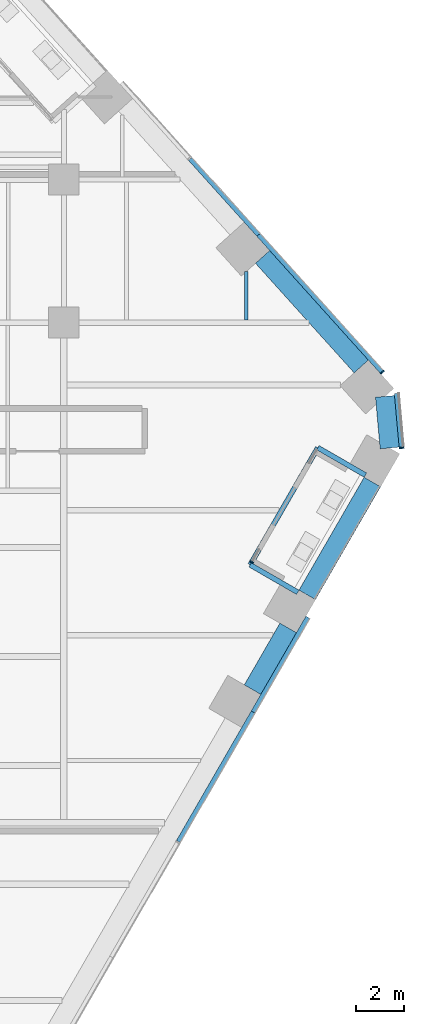
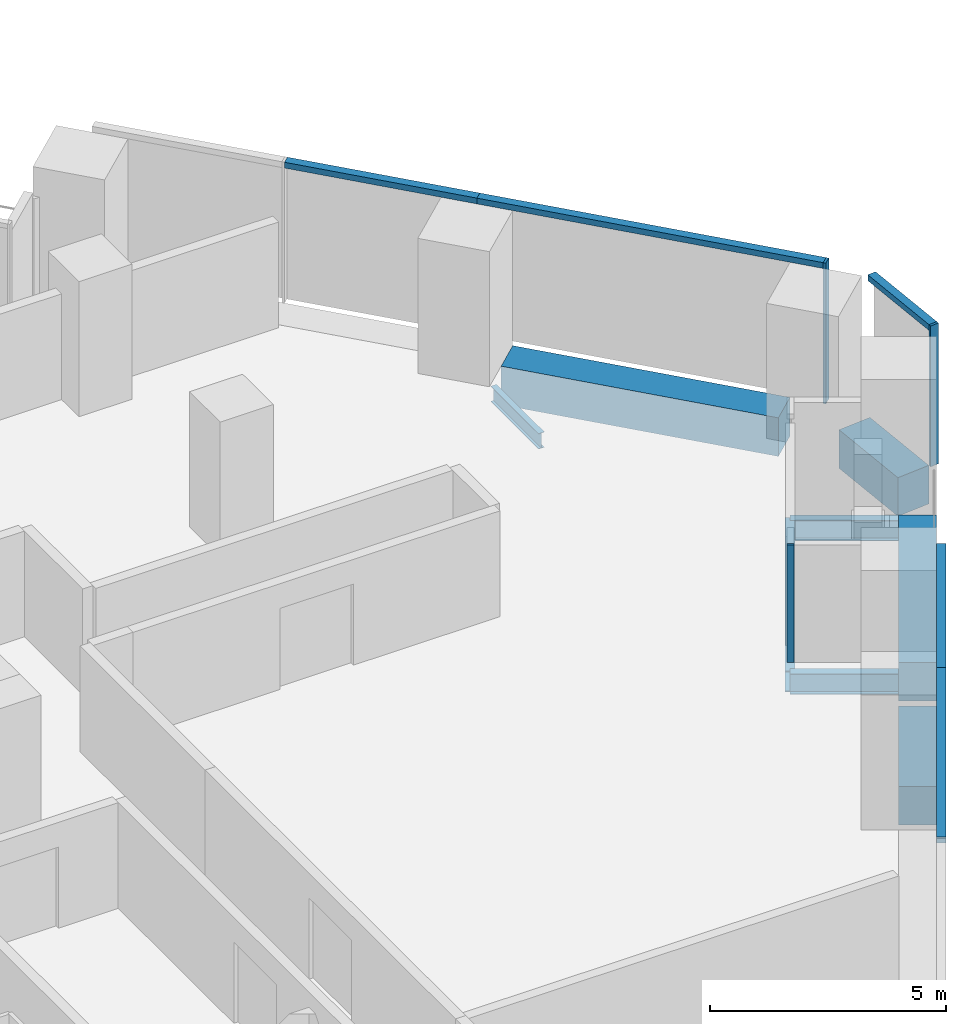
# One storey, part 13 of 28: 8 beams, 8 members, 4 elements without a shape of their own.
"""IFC4 building model written with IfcOpenShell, lengths in metres."""

from ifc_helpers import new_model, si_unit, direction, frame, origin, origin_2d, place, context, subcontext, project, spatial, rectangle, i_section, extrude, material, layer, layer_set, material_profile, profile_set, type_object, element, aggregate, save


model = new_model("IFC4")

# Units and contexts
model_context = context("Model", 3, precision=1e-05, world=origin(), true_north=direction((0.0, 1.0)))
body_context = subcontext(model_context, "Body", "Model", "MODEL_VIEW")
ifc_project = project(units=[si_unit("LENGTHUNIT", "METRE"), si_unit("AREAUNIT", "SQUARE_METRE"), si_unit("VOLUMEUNIT", "CUBIC_METRE"), si_unit("PLANEANGLEUNIT", "RADIAN"), si_unit("MASSUNIT", "GRAM", prefix="KILO")], contexts=[model_context])

# Site, building, storey
site_placement = place(None, origin())
site = spatial("IfcSite", under=ifc_project, at=site_placement, CompositionType="ELEMENT")
building_placement = place(site_placement, origin())
building = spatial("IfcBuilding", under=site, at=building_placement, Name="Isthmus Gate Tower", CompositionType="ELEMENT")
storey_placement = place(building_placement, frame((0.0, 0.0, 84.300048828125)))
storey = spatial("IfcBuildingStorey", under=building, at=storey_placement, Name="L19", CompositionType="ELEMENT", Elevation=84.300048828125)

# Curtain wall, member
ifc_material_1 = material(Name="Aluminium, pale champagne anodised", Category="aluminium")
ifc_layer_1 = layer(ifc_material_1, 0.199951171875)
ifc_layer_set_1 = layer_set([ifc_layer_1], Name="CW-1 UNITISED CURTAIN WALL 200 DEEP")
curtain_wall_type_1 = type_object("IfcCurtainWallType", Name="CW-1 UNITISED CURTAIN WALL 200 DEEP", PredefinedType="NOTDEFINED", material=ifc_layer_set_1)
curtain_wall_1_placement = place(storey_placement, origin())
curtain_wall_1 = element("IfcCurtainWall", 1, at=curtain_wall_1_placement, inside=storey, type_object=curtain_wall_type_1, Name="CW-1 SE-NE L19", PredefinedType="NOTDEFINED")
ifc_material_2 = material(Name="Aluminium, pale champagne anodised", Category="aluminium")
ifc_material_profile_1 = material_profile(ifc_material_2, rectangle(XDim=0.06005859375, YDim=0.199951171875, at=origin_2d()), Name="60x200")
ifc_profile_set_1 = profile_set([ifc_material_profile_1], Name="Aluminium, pale champagne anodised")
member_type_1 = type_object("IfcMemberType", Name="CW-1 MULLION 60 X 200", PredefinedType="MULLION", material=ifc_profile_set_1)
member_1_placement = place(storey_placement, frame((38.178955078125, 2.24169921875, 0.0), z_axis=(0.0, 0.0, 1.0), x_axis=(-0.089396669717, 0.995996102123, 0.0)))
member_1 = element("IfcMember", 2, at=member_1_placement, type_object=member_type_1, Name="CW-1 mullion", PredefinedType="MULLION", context=body_context, shape_type="SweptSolid", body=[
    extrude(rectangle(XDim=0.06005859375, YDim=0.199951171875, at=origin_2d()), origin(), (0.0, 0.0, 1.0), 3.64990234375),
])

curtain_wall_2_placement = place(storey_placement, origin())
curtain_wall_2 = element("IfcCurtainWall", 3, at=curtain_wall_2_placement, inside=storey, type_object=curtain_wall_type_1, Name="CW-1 NE L19", PredefinedType="NOTDEFINED")
member_2_placement = place(storey_placement, frame((37.37353515625, 5.419921875, 0.0), z_axis=(0.0, 0.0, 1.0), x_axis=(-0.669130606359, 0.743144825477, 0.0)))
member_2 = element("IfcMember", 4, at=member_2_placement, type_object=member_type_1, Name="CW-1 mullion", PredefinedType="MULLION", context=body_context, shape_type="SweptSolid", body=[
    extrude(rectangle(XDim=0.06005859375, YDim=0.199951171875, at=origin_2d()), origin(), (0.0, 0.0, 1.0), 3.64990234375),
])

# Curtain wall, members
curtain_wall_3_placement = place(storey_placement, origin())
curtain_wall_3 = element("IfcCurtainWall", 5, at=curtain_wall_3_placement, inside=storey, type_object=curtain_wall_type_1, Name="CW-1 SE L19", PredefinedType="NOTDEFINED")
ifc_material_3 = material(Name="Aluminium, pale champagne anodised", Category="aluminium")
ifc_material_profile_2 = material_profile(ifc_material_3, rectangle(XDim=0.199951171875, YDim=0.14990234375, at=origin_2d()), Name="200x150")
ifc_profile_set_2 = profile_set([ifc_material_profile_2], Name="Aluminium, pale champagne anodised")
member_type_2 = type_object("IfcMemberType", Name="CW-1 TRANSOM 200 X 150", PredefinedType="USERDEFINED", material=ifc_profile_set_2)
member_3_placement = place(storey_placement, frame((28.817138671875, -14.287353515625, 3.574951171875), z_axis=(0.499995104884, 0.866028229963, 0.0), x_axis=(-0.866028229963, 0.499995104884, 0.0)))
member_3 = element("IfcMember", 6, at=member_3_placement, type_object=member_type_2, Name="CW-1 transom", ObjectType="TRANSOM", PredefinedType="USERDEFINED", context=body_context, shape_type="SweptSolid", body=[
    extrude(rectangle(XDim=0.199951171875, YDim=0.14990234375, at=origin_2d()), origin(), (0.0, 0.0, 1.0), 6.2783203125),
])
member_4_placement = place(storey_placement, frame((31.956298828125, -8.85009765625, 3.574951171875), z_axis=(0.499992401796, 0.866029790565, 0.0), x_axis=(-0.866029790565, 0.499992401796, 0.0)))
member_4 = element("IfcMember", 7, at=member_4_placement, type_object=member_type_2, Name="CW-1 transom", ObjectType="TRANSOM", PredefinedType="USERDEFINED", context=body_context, shape_type="SweptSolid", body=[
    extrude(rectangle(XDim=0.199951171875, YDim=0.14990234375, at=origin_2d()), origin(), (0.0, 0.0, 1.0), 4.5927734375),
])
aggregate(curtain_wall_3, [member_3, member_4])

# Member
member_5_placement = place(storey_placement, frame((38.17626953125, 2.271728515625, 3.574951171875), z_axis=(-0.089395362867, 0.995996219419, 0.0), x_axis=(-0.995996219419, -0.089395362867, 0.0)))
member_5 = element("IfcMember", 8, at=member_5_placement, type_object=member_type_2, Name="CW-1 transom", ObjectType="TRANSOM", PredefinedType="USERDEFINED", context=body_context, shape_type="SweptSolid", body=[
    extrude(rectangle(XDim=0.199951171875, YDim=0.14990234375, at=origin_2d()), origin(), (0.0, 0.0, 1.0), 2.258544921875),
])

aggregate(curtain_wall_1, [member_1, member_5])

member_6_placement = place(storey_placement, frame((37.353515625, 5.4423828125, 3.574951171875), z_axis=(-0.669133991403, 0.743141777556, 0.0), x_axis=(-0.743141777556, -0.669133991403, 0.0)))
member_6 = element("IfcMember", 9, at=member_6_placement, type_object=member_type_2, Name="CW-1 transom", ObjectType="TRANSOM", PredefinedType="USERDEFINED", context=body_context, shape_type="SweptSolid", body=[
    extrude(rectangle(XDim=0.199951171875, YDim=0.14990234375, at=origin_2d()), origin(), (0.0, 0.0, 1.0), 7.729248046875),
])

member_7_placement = place(storey_placement, frame((32.181640625, 11.186279296875, 3.574951171875), z_axis=(-0.669131169216, 0.743144318678, 0.0), x_axis=(-0.743144318678, -0.669131169216, 0.0)))
member_7 = element("IfcMember", 10, at=member_7_placement, type_object=member_type_2, Name="CW-1 transom", ObjectType="TRANSOM", PredefinedType="USERDEFINED", context=body_context, shape_type="SweptSolid", body=[
    extrude(rectangle(XDim=0.199951171875, YDim=0.14990234375, at=origin_2d()), origin(), (0.0, 0.0, 1.0), 4.294677734375),
])

aggregate(curtain_wall_2, [member_2, member_6, member_7])

# Curtain wall, member
ifc_material_4 = material(Name="Aluminium, pale champagne anodised", Category="aluminium")
ifc_layer_2 = layer(ifc_material_4, 0.14990234375)
ifc_layer_set_2 = layer_set([ifc_layer_2], Name="CW-6 LOGGIA BACK WALL GLAZING 150 DEEP")
curtain_wall_type_2 = type_object("IfcCurtainWallType", Name="CW-6 LOGGIA BACK WALL GLAZING 150 DEEP", PredefinedType="NOTDEFINED", material=ifc_layer_set_2)
curtain_wall_4_placement = place(storey_placement, origin())
curtain_wall_4 = element("IfcCurtainWall", 11, at=curtain_wall_4_placement, inside=storey, type_object=curtain_wall_type_2, Name="CW-6 SE L19", PredefinedType="NOTDEFINED")
ifc_material_5 = material(Name="Aluminium, pale champagne anodised", Category="aluminium")
ifc_material_profile_3 = material_profile(ifc_material_5, rectangle(XDim=0.06005859375, YDim=0.14990234375, at=origin_2d()), Name="60x150")
ifc_profile_set_3 = profile_set([ifc_material_profile_3], Name="Aluminium, pale champagne anodised")
member_type_3 = type_object("IfcMemberType", Name="CW-6 MULLION 60 X 150", PredefinedType="MULLION", material=ifc_profile_set_3)
member_8_placement = place(storey_placement, frame((31.896484375, -2.5537109375, 0.0), z_axis=(0.0, 0.0, 1.0), x_axis=(0.5, 0.866025403784, 0.0)))
member_8 = element("IfcMember", 12, at=member_8_placement, type_object=member_type_3, Name="CW-6 mullion", PredefinedType="MULLION", context=body_context, shape_type="SweptSolid", body=[
    extrude(rectangle(XDim=0.06005859375, YDim=0.14990234375, at=origin_2d()), origin(), (0.0, 0.0, 1.0), 3.050048828125),
])
aggregate(curtain_wall_4, [member_8])

# Beams
ifc_material_6 = material(Name="Concrete f'c 70 MPa", Category="concrete")
ifc_material_profile_4 = material_profile(ifc_material_6, rectangle(XDim=0.800048828125, YDim=1.0, at=origin_2d()), Name="RC 800X1000")
ifc_profile_set_4 = profile_set([ifc_material_profile_4], Name="Concrete f'c 70 MPa")
beam_type_1 = type_object("IfcBeamType", Name="RC SPANDREL 800 X 1000", PredefinedType="SPANDREL", material=ifc_profile_set_4)
beam_1_placement = place(storey_placement, frame((32.34521484375, 10.25732421875, -0.5), z_axis=(0.669139054219, -0.743137218903, 0.0), x_axis=(0.743137218903, 0.669139054219, 0.0)))
element("IfcBeam", 13, at=beam_1_placement, inside=storey, type_object=beam_type_1, Name="str-spandrel-L19-04", PredefinedType="SPANDREL", context=body_context, shape_type="SweptSolid", body=[
    extrude(rectangle(XDim=0.800048828125, YDim=1.0, at=origin_2d()), origin(), (0.0, 0.0, 1.0), 6.189453125),
])
beam_2_placement = place(storey_placement, frame((37.483154296875, 4.40185546875, -0.5), z_axis=(0.089421511639, -0.995993872098, 0.0), x_axis=(0.995993872098, 0.089421511639, 0.0)))
element("IfcBeam", 14, at=beam_2_placement, inside=storey, type_object=beam_type_1, Name="str-spandrel-L19-05", PredefinedType="SPANDREL", context=body_context, shape_type="SweptSolid", body=[
    extrude(rectangle(XDim=0.800048828125, YDim=1.0, at=origin_2d()), origin(), (0.0, 0.0, 1.0), 2.17333984375),
])
beam_3_placement = place(storey_placement, frame((36.95458984375, 0.80712890625, -0.5), z_axis=(-0.500008371742, -0.866020570303, 0.0), x_axis=(0.866020570303, -0.500008371742, 0.0)))
element("IfcBeam", 15, at=beam_3_placement, inside=storey, type_object=beam_type_1, Name="str-spandrel-L19-06", PredefinedType="SPANDREL", context=body_context, shape_type="SweptSolid", body=[
    extrude(rectangle(XDim=0.800048828125, YDim=1.0, at=origin_2d()), origin(), (0.0, 0.0, 1.0), 5.4697265625),
])
beam_4_placement = place(storey_placement, frame((33.419677734375, -5.315185546875, -0.5), z_axis=(-0.499955472713, -0.866051110099, 0.0), x_axis=(0.866051110099, -0.499955472713, 0.0)))
element("IfcBeam", 16, at=beam_4_placement, inside=storey, type_object=beam_type_1, Name="str-spandrel-L19-07", PredefinedType="SPANDREL", context=body_context, shape_type="SweptSolid", body=[
    extrude(rectangle(XDim=0.800048828125, YDim=1.0, at=origin_2d()), origin(), (0.0, 0.0, 1.0), 2.992919921875),
])
ifc_material_7 = material(Name="Structural steel ASTM A992 Gr 50", Category="steel")
ifc_material_profile_5 = material_profile(ifc_material_7, i_section(OverallWidth=0.1396484375, OverallDepth=0.4033203125, WebThickness=0.00634765625, FlangeThickness=0.010986328125, at=origin_2d()), Name="W16X31")
ifc_profile_set_5 = profile_set([ifc_material_profile_5], Name="Structural steel ASTM A992 Gr 50")
beam_type_2 = type_object("IfcBeamType", Name="STEEL FLOOR BEAM W16X31", PredefinedType="JOIST", material=ifc_profile_set_5)
beam_5_placement = place(storey_placement, frame((31.666259765625, 7.6142578125, -0.3515625), z_axis=(0.0, 1.0, 0.0), x_axis=(-1.0, 0.0, 0.0)))
element("IfcBeam", 17, at=beam_5_placement, inside=storey, type_object=beam_type_2, Name="str-beam-L19-38-01", PredefinedType="JOIST", context=body_context, shape_type="SweptSolid", body=[
    extrude(i_section(OverallWidth=0.1396484375, OverallDepth=0.4033203125, WebThickness=0.00634765625, FlangeThickness=0.010986328125, at=origin_2d()), origin(), (0.0, 0.0, 1.0), 2.03173828125),
])
ifc_material_8 = material(Name="Structural steel ASTM A992 Gr 50", Category="steel")
ifc_material_profile_6 = material_profile(ifc_material_8, i_section(OverallWidth=0.20947265625, OverallDepth=0.533447265625, WebThickness=0.009521484375, FlangeThickness=0.015869140625, at=origin_2d()), Name="W21X62")
ifc_profile_set_6 = profile_set([ifc_material_profile_6], Name="Structural steel ASTM A992 Gr 50")
beam_type_3 = type_object("IfcBeamType", Name="STEEL TRIMMER W21X62", PredefinedType="BEAM", material=ifc_profile_set_6)
beam_6_placement = place(storey_placement, frame((31.824951171875, -2.66796875, -0.416748046875), z_axis=(0.50000898992, 0.86602021339, 0.0), x_axis=(-0.86602021339, 0.50000898992, 0.0)))
element("IfcBeam", 18, at=beam_6_placement, inside=storey, type_object=beam_type_3, Name="str-loggiatrim-L19-05-B", PredefinedType="BEAM", context=body_context, shape_type="SweptSolid", body=[
    extrude(i_section(OverallWidth=0.20947265625, OverallDepth=0.533447265625, WebThickness=0.009521484375, FlangeThickness=0.015869140625, at=origin_2d()), origin(), (0.0, 0.0, 1.0), 5.67919921875),
])
beam_7_placement = place(storey_placement, frame((33.821044921875, -3.8203125, -0.416748046875), z_axis=(-0.866044474677, 0.49996696679, 0.0), x_axis=(-0.49996696679, -0.866044474677, 0.0)))
element("IfcBeam", 19, at=beam_7_placement, inside=storey, type_object=beam_type_3, Name="str-loggiatrim-L19-05-A", PredefinedType="BEAM", context=body_context, shape_type="SweptSolid", body=[
    extrude(i_section(OverallWidth=0.20947265625, OverallDepth=0.533447265625, WebThickness=0.009521484375, FlangeThickness=0.015869140625, at=origin_2d()), origin(), (0.0, 0.0, 1.0), 2.304931640625),
])
beam_8_placement = place(storey_placement, frame((36.660400390625, 1.097900390625, -0.416748046875), z_axis=(-0.866017993231, 0.500012835235, 0.0), x_axis=(-0.500012835235, -0.866017993231, 0.0)))
element("IfcBeam", 20, at=beam_8_placement, inside=storey, type_object=beam_type_3, Name="str-loggiatrim-L19-05-C", PredefinedType="BEAM", context=body_context, shape_type="SweptSolid", body=[
    extrude(i_section(OverallWidth=0.20947265625, OverallDepth=0.533447265625, WebThickness=0.009521484375, FlangeThickness=0.015869140625, at=origin_2d()), origin(), (0.0, 0.0, 1.0), 2.3046875),
])

save(model, "model.ifc")
